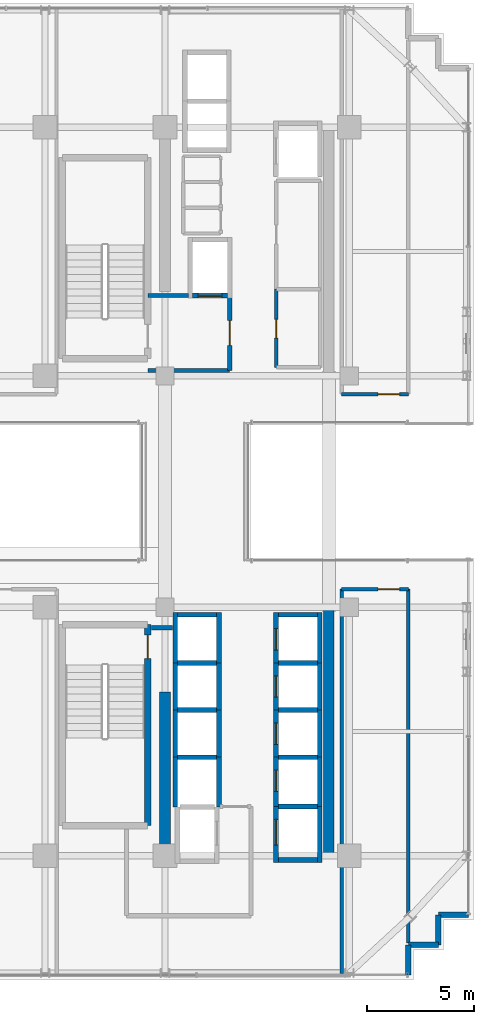
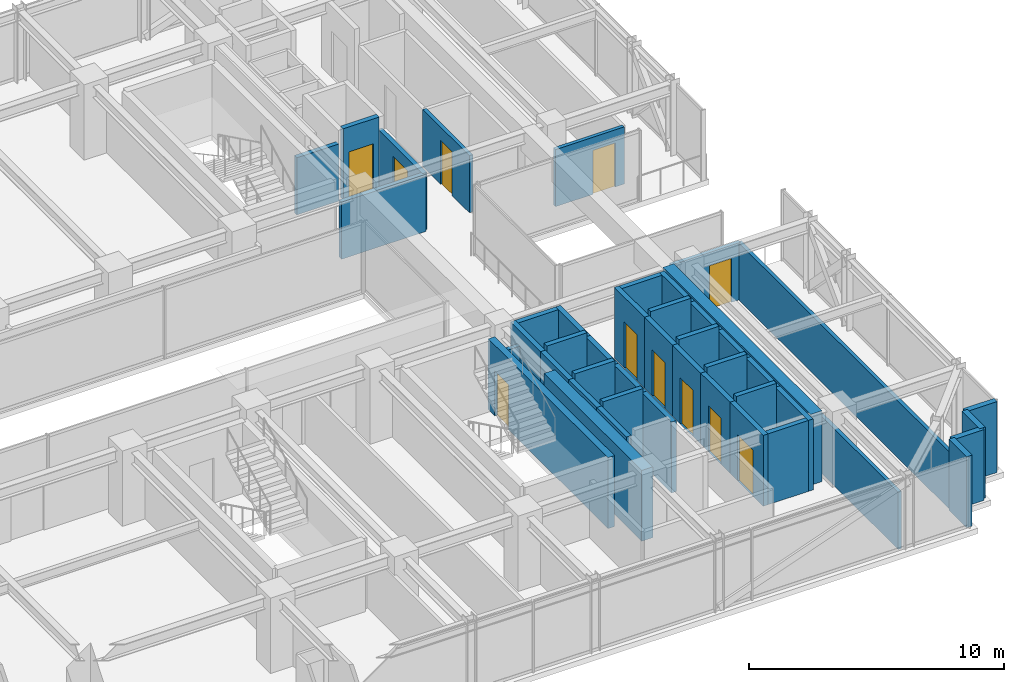
# One storey, part 31 of 37: 45 walls, 11 doors, 11 openings.
"""IFC4 building model written with IfcOpenShell, lengths in metres."""

import ifcopenshell
import ifcopenshell.guid

model = None  # the IFC model being written
_history = None  # IfcOwnerHistory: only IFC2X3 demands one
_inside = {}  # id of a spatial element -> (the spatial element, [elements in it])
_under = {}  # id of a project, library or spatial element -> (it, [spatial elements below it])
_declared = {}  # id of a project -> (the project, [libraries it declares])
_typed = {}  # id of a type object -> (the type object, [elements of that type])
_made_of = {}  # id of a material, layer set ... -> (it, [elements and type objects made of it])


def new_model(schema):
    """Start an empty IFC model of exactly this schema.

    Asked for "IFC4X3", IfcOpenShell would pick the latest addendum, in which some entities
    have other attributes; the version numbers below select the first issue.
    IFC2X3 requires an IfcOwnerHistory on every rooted entity: one is made here for all.
    """
    global model, _history
    if schema == "IFC4X3":
        model = ifcopenshell.file(schema_version=(4, 3, 0, 0))
    else:
        model = ifcopenshell.file(schema=schema)
    _inside.clear()
    _under.clear()
    _declared.clear()
    _typed.clear()
    _made_of.clear()
    _history = None
    if model.schema == "IFC2X3":
        org = make("IfcOrganization", Name="unknown")
        user = make(
            "IfcPersonAndOrganization",
            ThePerson=make("IfcPerson", FamilyName="unknown"),
            TheOrganization=org,
        )
        app = make(
            "IfcApplication",
            ApplicationDeveloper=org,
            Version="unknown",
            ApplicationFullName="unknown",
            ApplicationIdentifier="unknown",
        )
        _history = make(
            "IfcOwnerHistory",
            OwningUser=user,
            OwningApplication=app,
            ChangeAction="ADDED",
            CreationDate=0,
        )
    return model


def make(cls, **values):
    """One entity of the class cls with the attributes given. An attribute that is None is left unset."""
    return model.create_entity(
        cls, **{name: value for name, value in values.items() if value is not None}
    )


def rooted(cls, **values):
    """An entity with a GlobalId (a new one), such as an element, a storey or a relation."""
    return make(cls, GlobalId=ifcopenshell.guid.new(), OwnerHistory=_history, **values)


def si_unit(unit_type, name, prefix=None):
    """IfcSIUnit, for example si_unit("LENGTHUNIT", "METRE", prefix="MILLI")."""
    return make("IfcSIUnit", UnitType=unit_type, Prefix=prefix, Name=name)


def assignment(units):
    """IfcUnitAssignment: the units of a project."""
    return None if units is None else make("IfcUnitAssignment", Units=units)


def point(xyz):
    """IfcCartesianPoint."""
    return None if xyz is None else make("IfcCartesianPoint", Coordinates=xyz)


def direction(xyz):
    """IfcDirection."""
    return None if xyz is None else make("IfcDirection", DirectionRatios=xyz)


def frame(location, z_axis=None, x_axis=None):
    """IfcAxis2Placement3D, a coordinate frame: its origin and axes. An axis left out is left unset."""
    return make(
        "IfcAxis2Placement3D",
        Location=point(location),
        Axis=direction(z_axis),
        RefDirection=direction(x_axis),
    )


def frame_2d(location, x_axis=None):
    """IfcAxis2Placement2D, a coordinate frame in the plane: its origin and x axis."""
    return make(
        "IfcAxis2Placement2D", Location=point(location), RefDirection=direction(x_axis)
    )


def origin():
    """The frame at (0, 0, 0) with its axes left unset."""
    return frame((0.0, 0.0, 0.0))


def place(relative_to, where):
    """IfcLocalPlacement: puts the frame where relative to a parent placement (None: the world)."""
    return make(
        "IfcLocalPlacement", PlacementRelTo=relative_to, RelativePlacement=where
    )


def context(
    kind, dimensions, precision=None, world=None, true_north=None, identifier=None
):
    """IfcGeometricRepresentationContext, for example the 3D "Model" context."""
    return make(
        "IfcGeometricRepresentationContext",
        ContextIdentifier=identifier,
        ContextType=kind,
        CoordinateSpaceDimension=dimensions,
        Precision=precision,
        WorldCoordinateSystem=world,
        TrueNorth=true_north,
    )


def subcontext(parent, identifier, kind, view, scale=None):
    """IfcGeometricRepresentationSubContext, for example "Body" below "Model"."""
    return make(
        "IfcGeometricRepresentationSubContext",
        ContextIdentifier=identifier,
        ContextType=kind,
        ParentContext=parent,
        TargetScale=scale,
        TargetView=view,
    )


def project(units=None, contexts=None):
    """IfcProject with its units and contexts."""
    return rooted(
        "IfcProject",
        Name="project",
        RepresentationContexts=contexts,
        UnitsInContext=assignment(units),
    )


def spatial(cls, under=None, at=None, **own):
    """A site, building, storey or space (cls), placed at a placement, below another one or the project."""
    s = rooted(cls, ObjectPlacement=at, **own)
    if under is not None:
        _under.setdefault(under.id(), (under, []))[1].append(s)
    return s


def profile(cls, at=None, kind="AREA", **sizes):
    """A parametric profile (cls). Its sizes go by their IFC names, for example OverallWidth=200.0."""
    return make(cls, ProfileType=kind, Position=at, **sizes)


def rectangle(**sizes):
    """IfcRectangleProfileDef."""
    return profile("IfcRectangleProfileDef", **sizes)


def extrude(swept, where, along, depth):
    """IfcExtrudedAreaSolid: the profile swept, set in the frame where, extruded along a direction by depth."""
    return make(
        "IfcExtrudedAreaSolid",
        SweptArea=swept,
        Position=where,
        ExtrudedDirection=direction(along),
        Depth=depth,
    )


def shape(context_of_items, identifier, shape_type, items):
    """IfcShapeRepresentation: the items that make up one representation, for example the "Body"."""
    return make(
        "IfcShapeRepresentation",
        ContextOfItems=context_of_items,
        RepresentationIdentifier=identifier,
        RepresentationType=shape_type,
        Items=items,
    )


def source(mapping_origin, context_of_items, identifier, shape_type, items):
    """IfcRepresentationMap: a shape defined once, which mapped items show again and again."""
    return make(
        "IfcRepresentationMap",
        MappingOrigin=mapping_origin,
        MappedRepresentation=shape(context_of_items, identifier, shape_type, items),
    )


def transform(
    local_origin,
    x_axis=None,
    y_axis=None,
    z_axis=None,
    scale=None,
    scale2=None,
    scale3=None,
    uniform=True,
):
    """IfcCartesianTransformationOperator3D, or its non-uniform kind. x_axis, y_axis, z_axis: its Axis1, 2, 3."""
    if uniform:
        return make(
            "IfcCartesianTransformationOperator3D",
            Axis1=direction(x_axis),
            Axis2=direction(y_axis),
            LocalOrigin=point(local_origin),
            Scale=scale,
            Axis3=direction(z_axis),
        )
    return make(
        "IfcCartesianTransformationOperator3DnonUniform",
        Axis1=direction(x_axis),
        Axis2=direction(y_axis),
        LocalOrigin=point(local_origin),
        Scale=scale,
        Axis3=direction(z_axis),
        Scale2=scale2,
        Scale3=scale3,
    )


def mapped(mapping_source, mapping_target):
    """IfcMappedItem: shows the shape of a source again, moved by a transform."""
    return make(
        "IfcMappedItem", MappingSource=mapping_source, MappingTarget=mapping_target
    )


def material(Name=None, Category=None):
    """IfcMaterial."""
    return make("IfcMaterial", Name=Name, Category=Category)


def layer(
    of_material, thickness, ventilated=None, Name=None, Category=None, Priority=None
):
    """IfcMaterialLayer: one layer of a wall or slab, of a material (None: an air gap)."""
    return make(
        "IfcMaterialLayer",
        Material=of_material,
        LayerThickness=thickness,
        IsVentilated=ventilated,
        Name=Name,
        Category=Category,
        Priority=Priority,
    )


def layer_set(layers, Name=None):
    """IfcMaterialLayerSet."""
    return make("IfcMaterialLayerSet", MaterialLayers=layers, LayerSetName=Name)


def made_of(thing, what):
    """Note that an element or type object is made of a material, layer set ...; save() writes the relation."""
    if what is not None:
        _made_of.setdefault(what.id(), (what, []))[1].append(thing)
    return thing


def type_object(cls, material=None, **own):
    """A type object (cls), such as IfcWallType, which elements share."""
    return made_of(rooted(cls, **own), material)


def element(
    cls,
    number,
    at=None,
    inside=None,
    cuts=None,
    type_object=None,
    material=None,
    context=None,
    identifier="Body",
    shape_type=None,
    held_by="IfcProductDefinitionShape",
    body=None,
    shapes=None,
    **own,
):
    """One element of the class cls, such as IfcWall. Its Tag is "e" and its number.

    at: its placement. inside: the storey or other place that contains it. cuts: it is an
    opening in that element (IfcRelVoidsElement). A single representation is given by context,
    identifier, shape_type and body (its items); several are given by shapes. held_by: the class
    of the entity that holds the representations. save() writes the other relations.
    """
    e = rooted(cls, Tag="e%d" % number, ObjectPlacement=at, **own)
    if body is not None:
        shapes = [shape(context, identifier, shape_type, body)]
    if shapes is not None:
        e.Representation = make(held_by, Representations=shapes)
    if inside is not None:
        _inside.setdefault(inside.id(), (inside, []))[1].append(e)
    if cuts is not None:
        rooted(
            "IfcRelVoidsElement", RelatingBuildingElement=cuts, RelatedOpeningElement=e
        )
    if type_object is not None:
        _typed.setdefault(type_object.id(), (type_object, []))[1].append(e)
    return made_of(e, material)


def fill(opening, filler):
    """IfcRelFillsElement: the door or window that sits in an opening."""
    return rooted(
        "IfcRelFillsElement",
        RelatingOpeningElement=opening,
        RelatedBuildingElement=filler,
    )


def aggregate(whole, parts):
    """IfcRelAggregates: a whole, such as a stair, and the parts it consists of."""
    return rooted("IfcRelAggregates", RelatingObject=whole, RelatedObjects=parts)


def save(model, path):
    """Write the relations noted so far, then the file.

    IfcRelAggregates (storeys below a building ...), IfcRelContainedInSpatialStructure (elements
    in a storey), IfcRelDefinesByType, IfcRelAssociatesMaterial and IfcRelDeclares: one each for
    every whole, place, type object, material and project.
    """
    for whole, parts in _under.values():
        aggregate(whole, parts)
    for where, things in _inside.values():
        rooted(
            "IfcRelContainedInSpatialStructure",
            RelatedElements=things,
            RelatingStructure=where,
        )
    for kind, things in _typed.values():
        rooted("IfcRelDefinesByType", RelatedObjects=things, RelatingType=kind)
    for what, things in _made_of.values():
        rooted("IfcRelAssociatesMaterial", RelatedObjects=things, RelatingMaterial=what)
    for by, libraries in _declared.values():
        rooted("IfcRelDeclares", RelatingContext=by, RelatedDefinitions=libraries)
    model.write(path)


model = new_model("IFC4")

# Units and contexts
model_context = context("Model", 3, precision=1e-05, world=origin(), true_north=direction((0.0, 1.0)))
body_context = subcontext(model_context, "Body", "Model", "MODEL_VIEW")
ifc_project = project(units=[si_unit("LENGTHUNIT", "METRE"), si_unit("AREAUNIT", "SQUARE_METRE"), si_unit("VOLUMEUNIT", "CUBIC_METRE"), si_unit("PLANEANGLEUNIT", "RADIAN"), si_unit("MASSUNIT", "GRAM", prefix="KILO")], contexts=[model_context])

# Site, building, storey
site_placement = place(None, origin())
site = spatial("IfcSite", under=ifc_project, at=site_placement, CompositionType="ELEMENT")
building_placement = place(site_placement, origin())
building = spatial("IfcBuilding", under=site, at=building_placement, Name="Nahalor Promenade Grand Hotel", CompositionType="ELEMENT")
storey_placement = place(building_placement, frame((0.0, 0.0, 167.25)))
storey = spatial("IfcBuildingStorey", under=building, at=storey_placement, Name="L42", CompositionType="ELEMENT", Elevation=167.25)

# Walls
ifc_material_1 = material(Name="Concrete B-60 (C50/60)", Category="concrete")
ifc_layer_1 = layer(ifc_material_1, 0.5)
ifc_layer_set_1 = layer_set([ifc_layer_1], Name="Concrete B-60 (C50/60)")
wall_type_1 = type_object("IfcWallType", Name="Wall-CoreShear-500", PredefinedType="SHEAR", material=ifc_layer_set_1)
shared_shape_1 = source(origin(), body_context, "Body", "SweptSolid", [
    extrude(rectangle(XDim=7.64990234375, YDim=0.5, at=frame_2d((3.824951171875, 0.0))), origin(), (0.0, 0.0, 1.0), 3.389892578125),
])
wall_1_placement = place(storey_placement, frame((8.39990234375, -17.0, 0.0), z_axis=(0.0, 0.0, 1.0), x_axis=(0.0, 1.0, 0.0)))
element("IfcWall", 1, at=wall_1_placement, inside=storey, type_object=wall_type_1, Name="CWALL-L42-SW", PredefinedType="SHEAR", context=body_context, shape_type="MappedRepresentation", body=[
    mapped(shared_shape_1, transform((0.0, 0.0, 0.0), scale=1.0)),
])
shared_shape_2 = source(origin(), body_context, "Body", "SweptSolid", [
    extrude(rectangle(XDim=11.60009765625, YDim=0.5, at=frame_2d((5.800048828125, 0.0))), origin(), (0.0, 0.0, 1.0), 3.389892578125),
])
wall_2_placement = place(storey_placement, frame((16.050048828125, -17.0, 0.0), z_axis=(0.0, 0.0, 1.0), x_axis=(0.0, 1.0, 0.0)))
element("IfcWall", 2, at=wall_2_placement, inside=storey, type_object=wall_type_1, Name="CWALL-L42-SE", PredefinedType="SHEAR", context=body_context, shape_type="MappedRepresentation", body=[
    mapped(shared_shape_2, transform((0.0, 0.0, 0.0), scale=1.0)),
])

# Wall, opening, door
ifc_material_2 = material(Name="Concrete B-50 (C40/50)", Category="concrete")
ifc_layer_2 = layer(ifc_material_2, 0.300048828125)
ifc_layer_set_2 = layer_set([ifc_layer_2], Name="Concrete B-50 (C40/50)")
wall_type_2 = type_object("IfcWallType", Name="Wall-ShaftShear-300", PredefinedType="SHEAR", material=ifc_layer_set_2)
shared_shape_3 = source(origin(), body_context, "Body", "SweptSolid", [
    extrude(rectangle(XDim=9.380126953125, YDim=0.300048828125, at=frame_2d((4.68994140625, 0.0))), origin(), (0.0, 0.0, 1.0), 3.389892578125),
])
wall_3_placement = place(storey_placement, frame((7.590087890625, -15.590087890625, 0.0), z_axis=(0.0, 0.0, 1.0), x_axis=(0.0, 1.0, 0.0)))
wall_3 = element("IfcWall", 3, at=wall_3_placement, inside=storey, type_object=wall_type_2, Name="L42 Exit Stair ST2 Shaft Wall E", PredefinedType="SHEAR", context=body_context, shape_type="MappedRepresentation", body=[
    mapped(shared_shape_3, transform((0.0, 0.0, 0.0), scale=1.0)),
])
opening_1_placement = place(wall_3_placement, frame((7.7900390625, 0.0, 0.0)))
opening_1 = element("IfcOpeningElement", 4, at=opening_1_placement, cuts=wall_3, Name="Opening D-ST1", PredefinedType="OPENING", context=body_context, shape_type="SweptSolid", body=[
    extrude(rectangle(XDim=1.10009765625, YDim=2.14990234375, at=frame_2d((0.550048828125, 1.074951171875))), frame((0.0, 0.159912109375, 0.0), z_axis=(0.0, -1.0, 0.0), x_axis=(1.0, 0.0, 0.0)), (0.0, 0.0, 1.0), 0.320068359375),
])
ifc_material_3 = material(Name="Steel S355JR", Category="steel")
door_type_1 = type_object("IfcDoorType", Name="Door-StairFire-1100", OperationType="NOTDEFINED", PredefinedType="DOOR", material=ifc_material_3)
shared_shape_4 = source(origin(), body_context, "Body", "SweptSolid", [
    extrude(rectangle(XDim=1.10009765625, YDim=2.14990234375, at=frame_2d((0.550048828125, 1.074951171875))), frame((0.0, 0.02490234375, 0.0), z_axis=(0.0, -1.0, 0.0), x_axis=(1.0, 0.0, 0.0)), (0.0, 0.0, 1.0), 0.050048828125),
])
door_1_placement = place(opening_1_placement, origin())
door_1 = element("IfcDoor", 5, at=door_1_placement, inside=storey, type_object=door_type_1, Name="DR-STAIR-ST2-L42", OperationType="SINGLE_SWING_LEFT", OverallHeight=2.14990234375, OverallWidth=1.10009765625, PredefinedType="DOOR", context=body_context, shape_type="MappedRepresentation", body=[
    mapped(shared_shape_4, transform((0.0, 0.0, 0.0), scale=1.0)),
])
fill(opening_1, door_1)

# Walls
ifc_layer_3 = layer(ifc_material_2, 0.219970703125)
ifc_layer_set_3 = layer_set([ifc_layer_3], Name="Concrete B-50 (C40/50)")
wall_type_3 = type_object("IfcWallType", Name="Wall-LiftShaft-220", PredefinedType="SHEAR", material=ifc_layer_set_3)
shared_shape_5 = source(origin(), body_context, "Body", "SweptSolid", [
    extrude(rectangle(XDim=1.820068359375, YDim=0.219970703125, at=frame_2d((0.91015625, 0.0))), origin(), (0.0, 0.0, 1.0), 3.64990234375),
])
for number, where, z_axis, x_axis, name in (
    (6, (13.68994140625, -8.0, 0.0), (0.0, 0.0, 1.0), (1.0, 0.0, 0.0), "L42 Lift PL6 Hoistway Wall N"),
    (7, (13.68994140625, -10.199951171875, 0.0), (0.0, 0.0, 1.0), (1.0, 0.0, 0.0), "L42 Lift PL7 Hoistway Wall N"),
    (8, (13.68994140625, -12.39990234375, 0.0), (0.0, 0.0, 1.0), (1.0, 0.0, 0.0), "L42 Lift PL8 Hoistway Wall N"),
    (9, (8.989990234375, -8.0, 0.0), (0.0, 0.0, 1.0), (1.0, 0.0, 0.0), "L42 Lift PL10 Hoistway Wall N"),
    (10, (8.989990234375, -10.199951171875, 0.0), (0.0, 0.0, 1.0), (1.0, 0.0, 0.0), "L42 Lift PL11 Hoistway Wall N"),
    (11, (8.989990234375, -12.39990234375, 0.0), (0.0, 0.0, 1.0), (1.0, 0.0, 0.0), "L42 Lift PL12 Hoistway Wall N"),
    (12, (13.68994140625, -14.699951171875, 0.0), (0.0, 0.0, 1.0), (1.0, 0.0, 0.0), "L42 Lift SV2 Hoistway Wall N"),
):
    element("IfcWall", number, at=place(storey_placement, frame(where, z_axis=z_axis, x_axis=x_axis)), inside=storey, type_object=wall_type_3, Name=name, PredefinedType="SHEAR", context=body_context, shape_type="MappedRepresentation", body=[
        mapped(shared_shape_5, transform((0.0, 0.0, 0.0), scale=1.0)),
    ])

# Wall, opening, door
shared_shape_6 = source(origin(), body_context, "Body", "SweptSolid", [
    extrude(rectangle(XDim=2.360107421875, YDim=0.219970703125, at=frame_2d((1.18017578125, 0.0))), origin(), (0.0, 0.0, 1.0), 3.389892578125),
])
wall_4_placement = place(storey_placement, frame((13.580078125, -8.0, 0.0), z_axis=(0.0, 0.0, 1.0), x_axis=(0.0, 1.0, 0.0)))
wall_4 = element("IfcWall", 13, at=wall_4_placement, inside=storey, type_object=wall_type_3, Name="L42 Lift PL5 Hoistway Wall W", PredefinedType="SHEAR", context=body_context, shape_type="MappedRepresentation", body=[
    mapped(shared_shape_6, transform((0.0, 0.0, 0.0), scale=1.0)),
])
opening_2_placement = place(wall_4_placement, frame((0.60009765625, 0.0, 0.0)))
opening_2 = element("IfcOpeningElement", 14, at=opening_2_placement, cuts=wall_4, Name="Opening LD-01", PredefinedType="OPENING", context=body_context, shape_type="SweptSolid", body=[
    extrude(rectangle(XDim=1.0, YDim=2.199951171875, at=frame_2d((0.5, 1.10009765625))), frame((0.0, 0.119873046875, 0.0), z_axis=(0.0, -1.0, 0.0), x_axis=(1.0, 0.0, 0.0)), (0.0, 0.0, 1.0), 0.239990234375),
])
door_type_2 = type_object("IfcDoorType", Name="Door-LiftLanding-1000", OperationType="DOUBLE_DOOR_SLIDING", PredefinedType="DOOR", material=ifc_material_3)
shared_shape_7 = source(origin(), body_context, "Body", "SweptSolid", [
    extrude(rectangle(XDim=1.0, YDim=2.199951171875, at=frame_2d((0.5, 1.10009765625))), frame((0.0, 0.02490234375, 0.0), z_axis=(0.0, -1.0, 0.0), x_axis=(1.0, 0.0, 0.0)), (0.0, 0.0, 1.0), 0.050048828125),
])
door_2_placement = place(opening_2_placement, origin())
door_2 = element("IfcDoor", 15, at=door_2_placement, inside=storey, type_object=door_type_2, Name="DR-LIFT-PL5-L42", OperationType="DOUBLE_DOOR_SLIDING", OverallHeight=2.199951171875, OverallWidth=1.0, PredefinedType="DOOR", context=body_context, shape_type="MappedRepresentation", body=[
    mapped(shared_shape_7, transform((0.0, 0.0, 0.0), scale=1.0)),
])
fill(opening_2, door_2)

# Walls
for number, where, z_axis, x_axis, name in (
    (16, (15.6201171875, -8.0, 0.0), (0.0, 0.0, 1.0), (0.0, 1.0, 0.0), "L42 Lift PL5 Hoistway Wall E"),
    (17, (8.8798828125, -8.0, 0.0), (0.0, 0.0, 1.0), (0.0, 1.0, 0.0), "L42 Lift PL9 Hoistway Wall W"),
    (18, (10.919921875, -8.0, 0.0), (0.0, 0.0, 1.0), (0.0, 1.0, 0.0), "L42 Lift PL9 Hoistway Wall E"),
):
    element("IfcWall", number, at=place(storey_placement, frame(where, z_axis=z_axis, x_axis=x_axis)), inside=storey, type_object=wall_type_3, Name=name, PredefinedType="SHEAR", context=body_context, shape_type="MappedRepresentation", body=[
        mapped(shared_shape_6, transform((0.0, 0.0, 0.0), scale=1.0)),
    ])
shared_shape_8 = source(origin(), body_context, "Body", "SweptSolid", [
    extrude(rectangle(XDim=1.820068359375, YDim=0.219970703125, at=frame_2d((0.91015625, 0.0))), origin(), (0.0, 0.0, 1.0), 3.389892578125),
])
for number, where, z_axis, x_axis, name in (
    (19, (13.68994140625, -5.75, 0.0), (0.0, 0.0, 1.0), (1.0, 0.0, 0.0), "L42 Lift PL5 Hoistway Wall N"),
    (20, (8.989990234375, -5.75, 0.0), (0.0, 0.0, 1.0), (1.0, 0.0, 0.0), "L42 Lift PL9 Hoistway Wall N"),
    (21, (13.68994140625, -17.199951171875, 0.0), (0.0, 0.0, 1.0), (1.0, 0.0, 0.0), "L42 Lift SV2 Hoistway Wall S"),
):
    element("IfcWall", number, at=place(storey_placement, frame(where, z_axis=z_axis, x_axis=x_axis)), inside=storey, type_object=wall_type_3, Name=name, PredefinedType="SHEAR", context=body_context, shape_type="MappedRepresentation", body=[
        mapped(shared_shape_8, transform((0.0, 0.0, 0.0), scale=1.0)),
    ])

# Wall, opening, door
shared_shape_9 = source(origin(), body_context, "Body", "SweptSolid", [
    extrude(rectangle(XDim=2.199951171875, YDim=0.219970703125, at=frame_2d((1.10009765625, 0.0))), origin(), (0.0, 0.0, 1.0), 3.389892578125),
])
wall_5_placement = place(storey_placement, frame((13.580078125, -10.199951171875, 0.0), z_axis=(0.0, 0.0, 1.0), x_axis=(0.0, 1.0, 0.0)))
wall_5 = element("IfcWall", 22, at=wall_5_placement, inside=storey, type_object=wall_type_3, Name="L42 Lift PL6 Hoistway Wall W", PredefinedType="SHEAR", context=body_context, shape_type="MappedRepresentation", body=[
    mapped(shared_shape_9, transform((0.0, 0.0, 0.0), scale=1.0)),
])
opening_3_placement = place(wall_5_placement, frame((0.60009765625, 0.0, 0.0)))
opening_3 = element("IfcOpeningElement", 23, at=opening_3_placement, cuts=wall_5, Name="Opening LD-01", PredefinedType="OPENING", context=body_context, shape_type="SweptSolid", body=[
    extrude(rectangle(XDim=1.0, YDim=2.199951171875, at=frame_2d((0.5, 1.10009765625))), frame((0.0, 0.119873046875, 0.0), z_axis=(0.0, -1.0, 0.0), x_axis=(1.0, 0.0, 0.0)), (0.0, 0.0, 1.0), 0.239990234375),
])
door_3_placement = place(opening_3_placement, origin())
door_3 = element("IfcDoor", 24, at=door_3_placement, inside=storey, type_object=door_type_2, Name="DR-LIFT-PL6-L42", OperationType="DOUBLE_DOOR_SLIDING", OverallHeight=2.199951171875, OverallWidth=1.0, PredefinedType="DOOR", context=body_context, shape_type="MappedRepresentation", body=[
    mapped(shared_shape_7, transform((0.0, 0.0, 0.0), scale=1.0)),
])
fill(opening_3, door_3)

# Wall
wall_6_placement = place(storey_placement, frame((15.6201171875, -10.199951171875, 0.0), z_axis=(0.0, 0.0, 1.0), x_axis=(0.0, 1.0, 0.0)))
element("IfcWall", 25, at=wall_6_placement, inside=storey, type_object=wall_type_3, Name="L42 Lift PL6 Hoistway Wall E", PredefinedType="SHEAR", context=body_context, shape_type="MappedRepresentation", body=[
    mapped(shared_shape_9, transform((0.0, 0.0, 0.0), scale=1.0)),
])

# Wall, opening, door
wall_7_placement = place(storey_placement, frame((13.580078125, -12.39990234375, 0.0), z_axis=(0.0, 0.0, 1.0), x_axis=(0.0, 1.0, 0.0)))
wall_7 = element("IfcWall", 26, at=wall_7_placement, inside=storey, type_object=wall_type_3, Name="L42 Lift PL7 Hoistway Wall W", PredefinedType="SHEAR", context=body_context, shape_type="MappedRepresentation", body=[
    mapped(shared_shape_9, transform((0.0, 0.0, 0.0), scale=1.0)),
])
opening_4_placement = place(wall_7_placement, frame((0.60009765625, 0.0, 0.0)))
opening_4 = element("IfcOpeningElement", 27, at=opening_4_placement, cuts=wall_7, Name="Opening LD-01", PredefinedType="OPENING", context=body_context, shape_type="SweptSolid", body=[
    extrude(rectangle(XDim=1.0, YDim=2.199951171875, at=frame_2d((0.5, 1.10009765625))), frame((0.0, 0.119873046875, 0.0), z_axis=(0.0, -1.0, 0.0), x_axis=(1.0, 0.0, 0.0)), (0.0, 0.0, 1.0), 0.239990234375),
])
door_4_placement = place(opening_4_placement, origin())
door_4 = element("IfcDoor", 28, at=door_4_placement, inside=storey, type_object=door_type_2, Name="DR-LIFT-PL7-L42", OperationType="DOUBLE_DOOR_SLIDING", OverallHeight=2.199951171875, OverallWidth=1.0, PredefinedType="DOOR", context=body_context, shape_type="MappedRepresentation", body=[
    mapped(shared_shape_7, transform((0.0, 0.0, 0.0), scale=1.0)),
])
fill(opening_4, door_4)

# Walls
for number, where, z_axis, x_axis, name in (
    (29, (15.6201171875, -12.39990234375, 0.0), (0.0, 0.0, 1.0), (0.0, 1.0, 0.0), "L42 Lift PL7 Hoistway Wall E"),
    (30, (8.8798828125, -10.199951171875, 0.0), (0.0, 0.0, 1.0), (0.0, 1.0, 0.0), "L42 Lift PL10 Hoistway Wall W"),
    (31, (10.919921875, -10.199951171875, 0.0), (0.0, 0.0, 1.0), (0.0, 1.0, 0.0), "L42 Lift PL10 Hoistway Wall E"),
    (32, (8.8798828125, -12.39990234375, 0.0), (0.0, 0.0, 1.0), (0.0, 1.0, 0.0), "L42 Lift PL11 Hoistway Wall W"),
    (33, (10.919921875, -12.39990234375, 0.0), (0.0, 0.0, 1.0), (0.0, 1.0, 0.0), "L42 Lift PL11 Hoistway Wall E"),
):
    element("IfcWall", number, at=place(storey_placement, frame(where, z_axis=z_axis, x_axis=x_axis)), inside=storey, type_object=wall_type_3, Name=name, PredefinedType="SHEAR", context=body_context, shape_type="MappedRepresentation", body=[
        mapped(shared_shape_9, transform((0.0, 0.0, 0.0), scale=1.0)),
    ])

# Wall, opening, door
shared_shape_10 = source(origin(), body_context, "Body", "SweptSolid", [
    extrude(rectangle(XDim=2.300048828125, YDim=0.219970703125, at=frame_2d((1.14990234375, 0.0))), origin(), (0.0, 0.0, 1.0), 3.389892578125),
])
wall_8_placement = place(storey_placement, frame((13.580078125, -14.699951171875, 0.0), z_axis=(0.0, 0.0, 1.0), x_axis=(0.0, 1.0, 0.0)))
wall_8 = element("IfcWall", 34, at=wall_8_placement, inside=storey, type_object=wall_type_3, Name="L42 Lift PL8 Hoistway Wall W", PredefinedType="SHEAR", context=body_context, shape_type="MappedRepresentation", body=[
    mapped(shared_shape_10, transform((0.0, 0.0, 0.0), scale=1.0)),
])
opening_5_placement = place(wall_8_placement, frame((0.699951171875, 0.0, 0.0)))
opening_5 = element("IfcOpeningElement", 35, at=opening_5_placement, cuts=wall_8, Name="Opening LD-01", PredefinedType="OPENING", context=body_context, shape_type="SweptSolid", body=[
    extrude(rectangle(XDim=1.0, YDim=2.199951171875, at=frame_2d((0.5, 1.10009765625))), frame((0.0, 0.119873046875, 0.0), z_axis=(0.0, -1.0, 0.0), x_axis=(1.0, 0.0, 0.0)), (0.0, 0.0, 1.0), 0.239990234375),
])
door_5_placement = place(opening_5_placement, origin())
door_5 = element("IfcDoor", 36, at=door_5_placement, inside=storey, type_object=door_type_2, Name="DR-LIFT-PL8-L42", OperationType="DOUBLE_DOOR_SLIDING", OverallHeight=2.199951171875, OverallWidth=1.0, PredefinedType="DOOR", context=body_context, shape_type="MappedRepresentation", body=[
    mapped(shared_shape_7, transform((0.0, 0.0, 0.0), scale=1.0)),
])
fill(opening_5, door_5)

# Walls
wall_9_placement = place(storey_placement, frame((15.6201171875, -14.699951171875, 0.0), z_axis=(0.0, 0.0, 1.0), x_axis=(0.0, 1.0, 0.0)))
element("IfcWall", 37, at=wall_9_placement, inside=storey, type_object=wall_type_3, Name="L42 Lift PL8 Hoistway Wall E", PredefinedType="SHEAR", context=body_context, shape_type="MappedRepresentation", body=[
    mapped(shared_shape_10, transform((0.0, 0.0, 0.0), scale=1.0)),
])
shared_shape_11 = source(origin(), body_context, "Body", "SweptSolid", [
    extrude(rectangle(XDim=2.3251953125, YDim=0.219970703125, at=frame_2d((1.16259765625, 0.0))), origin(), (0.0, 0.0, 1.0), 3.389892578125),
])
for number, where, z_axis, x_axis, name in (
    (38, (8.8798828125, -14.72509765625, 0.0), (0.0, 0.0, 1.0), (0.0, 1.0, 0.0), "L42 Lift PL12 Hoistway Wall W"),
    (39, (10.919921875, -14.72509765625, 0.0), (0.0, 0.0, 1.0), (0.0, 1.0, 0.0), "L42 Lift PL12 Hoistway Wall E"),
):
    element("IfcWall", number, at=place(storey_placement, frame(where, z_axis=z_axis, x_axis=x_axis)), inside=storey, type_object=wall_type_3, Name=name, PredefinedType="SHEAR", context=body_context, shape_type="MappedRepresentation", body=[
        mapped(shared_shape_11, transform((0.0, 0.0, 0.0), scale=1.0)),
    ])

# Wall, opening, door
shared_shape_12 = source(origin(), body_context, "Body", "SweptSolid", [
    extrude(rectangle(XDim=1.6201171875, YDim=0.219970703125, at=frame_2d((0.81005859375, 0.0))), origin(), (0.0, 0.0, 1.0), 3.389892578125),
])
wall_10_placement = place(storey_placement, frame((9.68994140625, 9.14990234375, 0.0), z_axis=(0.0, 0.0, 1.0), x_axis=(1.0, 0.0, 0.0)))
wall_10 = element("IfcWall", 40, at=wall_10_placement, inside=storey, type_object=wall_type_3, Name="L42 Lift FL1 Hoistway Wall S", PredefinedType="SHEAR", context=body_context, shape_type="MappedRepresentation", body=[
    mapped(shared_shape_12, transform((0.0, 0.0, 0.0), scale=1.0)),
])
opening_6_placement = place(wall_10_placement, frame((0.260009765625, 0.0, 0.0)))
opening_6 = element("IfcOpeningElement", 41, at=opening_6_placement, cuts=wall_10, Name="Opening LD-02", PredefinedType="OPENING", context=body_context, shape_type="SweptSolid", body=[
    extrude(rectangle(XDim=1.10009765625, YDim=2.199951171875, at=frame_2d((0.550048828125, 1.10009765625))), frame((0.0, 0.119873046875, 0.0), z_axis=(0.0, -1.0, 0.0), x_axis=(1.0, 0.0, 0.0)), (0.0, 0.0, 1.0), 0.239990234375),
])
door_type_3 = type_object("IfcDoorType", Name="Door-LiftFF-1100", OperationType="DOUBLE_DOOR_SLIDING", PredefinedType="DOOR", material=ifc_material_3)
shared_shape_13 = source(origin(), body_context, "Body", "SweptSolid", [
    extrude(rectangle(XDim=1.10009765625, YDim=2.199951171875, at=frame_2d((0.550048828125, 1.10009765625))), frame((0.0, 0.02490234375, 0.0), z_axis=(0.0, -1.0, 0.0), x_axis=(1.0, 0.0, 0.0)), (0.0, 0.0, 1.0), 0.050048828125),
])
door_6_placement = place(opening_6_placement, frame((1.10009765625, 0.0, 0.0), z_axis=(0.0, 0.0, 1.0), x_axis=(-1.0, 0.0, 0.0)))
door_6 = element("IfcDoor", 42, at=door_6_placement, inside=storey, type_object=door_type_3, Name="DR-LIFT-FL1-L42", OperationType="DOUBLE_DOOR_SLIDING", OverallHeight=2.199951171875, OverallWidth=1.10009765625, PredefinedType="DOOR", context=body_context, shape_type="MappedRepresentation", body=[
    mapped(shared_shape_13, transform((0.0, 0.0, 0.0), scale=1.0)),
])
fill(opening_6, door_6)

shared_shape_14 = source(origin(), body_context, "Body", "SweptSolid", [
    extrude(rectangle(XDim=2.610107421875, YDim=0.219970703125, at=frame_2d((1.30517578125, 0.0))), origin(), (0.0, 0.0, 1.0), 3.389892578125),
])
wall_11_placement = place(storey_placement, frame((13.580078125, -17.31005859375, 0.0), z_axis=(0.0, 0.0, 1.0), x_axis=(0.0, 1.0, 0.0)))
wall_11 = element("IfcWall", 43, at=wall_11_placement, inside=storey, type_object=wall_type_3, Name="L42 Lift SV2 Hoistway Wall W", PredefinedType="SHEAR", context=body_context, shape_type="MappedRepresentation", body=[
    mapped(shared_shape_14, transform((0.0, 0.0, 0.0), scale=1.0)),
])
opening_7_placement = place(wall_11_placement, frame((0.81005859375, 0.0, 0.0)))
opening_7 = element("IfcOpeningElement", 44, at=opening_7_placement, cuts=wall_11, Name="Opening LD-03", PredefinedType="OPENING", context=body_context, shape_type="SweptSolid", body=[
    extrude(rectangle(XDim=1.199951171875, YDim=2.199951171875, at=frame_2d((0.60009765625, 1.10009765625))), frame((0.0, 0.119873046875, 0.0), z_axis=(0.0, -1.0, 0.0), x_axis=(1.0, 0.0, 0.0)), (0.0, 0.0, 1.0), 0.239990234375),
])
door_type_4 = type_object("IfcDoorType", Name="Door-LiftService-1200", OperationType="DOUBLE_DOOR_SLIDING", PredefinedType="DOOR", material=ifc_material_3)
shared_shape_15 = source(origin(), body_context, "Body", "SweptSolid", [
    extrude(rectangle(XDim=1.199951171875, YDim=2.199951171875, at=frame_2d((0.60009765625, 1.10009765625))), frame((0.0, 0.02490234375, 0.0), z_axis=(0.0, -1.0, 0.0), x_axis=(1.0, 0.0, 0.0)), (0.0, 0.0, 1.0), 0.050048828125),
])
door_7_placement = place(opening_7_placement, origin())
door_7 = element("IfcDoor", 45, at=door_7_placement, inside=storey, type_object=door_type_4, Name="DR-LIFT-SV2-L42", OperationType="DOUBLE_DOOR_SLIDING", OverallHeight=2.199951171875, OverallWidth=1.199951171875, PredefinedType="DOOR", context=body_context, shape_type="MappedRepresentation", body=[
    mapped(shared_shape_15, transform((0.0, 0.0, 0.0), scale=1.0)),
])
fill(opening_7, door_7)

# Walls
wall_12_placement = place(storey_placement, frame((15.6201171875, -17.31005859375, 0.0), z_axis=(0.0, 0.0, 1.0), x_axis=(0.0, 1.0, 0.0)))
element("IfcWall", 46, at=wall_12_placement, inside=storey, type_object=wall_type_3, Name="L42 Lift SV2 Hoistway Wall E", PredefinedType="SHEAR", context=body_context, shape_type="MappedRepresentation", body=[
    mapped(shared_shape_14, transform((0.0, 0.0, 0.0), scale=1.0)),
])
ifc_material_4 = material(Name="Concrete B-40 (C32/40)", Category="concrete")
ifc_layer_4 = layer(ifc_material_4, 0.25)
ifc_layer_set_4 = layer_set([ifc_layer_4], Name="Concrete B-40 (C32/40)")
wall_type_4 = type_object("IfcWallType", Name="Wall-BronzePier-250", PredefinedType="STANDARD", material=ifc_layer_set_4)
shared_shape_16 = source(origin(), body_context, "Body", "SweptSolid", [
    extrude(rectangle(XDim=1.400146484375, YDim=0.25, at=frame_2d((0.7001953125, 0.0))), origin(), (0.0, 0.0, 1.0), 3.389892578125),
])
for number, where, z_axis, x_axis, name in (
    (47, (19.760009765625, -22.56005859375, 0.0), (0.0, 0.0, 1.0), (0.0, 1.0, 0.0), "W-L42-SR-01"),
    (48, (21.159912109375, -19.760009765625, 0.0), (0.0, 0.0, 1.0), (1.0, 0.0, 0.0), "W-L42-SR-04"),
):
    element("IfcWall", number, at=place(storey_placement, frame(where, z_axis=z_axis, x_axis=x_axis)), inside=storey, type_object=wall_type_4, Name=name, PredefinedType="STANDARD", context=body_context, shape_type="MappedRepresentation", body=[
        mapped(shared_shape_16, transform((0.0, 0.0, 0.0), scale=1.0)),
    ])
shared_shape_17 = source(origin(), body_context, "Body", "SweptSolid", [
    extrude(rectangle(XDim=1.39990234375, YDim=0.25, at=frame_2d((0.699951171875, 0.0))), origin(), (0.0, 0.0, 1.0), 3.389892578125),
])
for number, where, z_axis, x_axis, name in (
    (49, (19.760009765625, -21.159912109375, 0.0), (0.0, 0.0, 1.0), (1.0, 0.0, 0.0), "W-L42-SR-02"),
    (50, (21.159912109375, -21.159912109375, 0.0), (0.0, 0.0, 1.0), (0.0, 1.0, 0.0), "W-L42-SR-03"),
):
    element("IfcWall", number, at=place(storey_placement, frame(where, z_axis=z_axis, x_axis=x_axis)), inside=storey, type_object=wall_type_4, Name=name, PredefinedType="STANDARD", context=body_context, shape_type="MappedRepresentation", body=[
        mapped(shared_shape_17, transform((0.0, 0.0, 0.0), scale=1.0)),
    ])
ifc_layer_5 = layer(ifc_material_4, 0.199951171875)
ifc_layer_set_5 = layer_set([ifc_layer_5], Name="Concrete B-40 (C32/40)")
wall_type_5 = type_object("IfcWallType", Name="Wall-PartFire-200", PredefinedType="PARTITIONING", material=ifc_layer_set_5)
shared_shape_18 = source(origin(), body_context, "Body", "SweptSolid", [
    extrude(rectangle(XDim=3.81982421875, YDim=0.199951171875, at=frame_2d((1.909912109375, 0.0))), origin(), (0.0, 0.0, 1.0), 2.72998046875),
])
wall_13_placement = place(storey_placement, frame((7.60009765625, 5.64990234375, 0.0), z_axis=(0.0, 0.0, 1.0), x_axis=(1.0, 0.0, 0.0)))
element("IfcWall", 51, at=wall_13_placement, inside=storey, type_object=wall_type_5, Name="W-L42-FF1-S", PredefinedType="PARTITIONING", context=body_context, shape_type="MappedRepresentation", body=[
    mapped(shared_shape_18, transform((0.0, 0.0, 0.0), scale=1.0)),
])
shared_shape_19 = source(origin(), body_context, "Body", "SweptSolid", [
    extrude(rectangle(XDim=1.89990234375, YDim=0.199951171875, at=frame_2d((0.949951171875, 0.0))), origin(), (0.0, 0.0, 1.0), 2.72998046875),
])
wall_14_placement = place(storey_placement, frame((7.60009765625, 9.14990234375, 0.0), z_axis=(0.0, 0.0, 1.0), x_axis=(1.0, 0.0, 0.0)))
element("IfcWall", 52, at=wall_14_placement, inside=storey, type_object=wall_type_5, Name="W-L42-FF1-N", PredefinedType="PARTITIONING", context=body_context, shape_type="MappedRepresentation", body=[
    mapped(shared_shape_19, transform((0.0, 0.0, 0.0), scale=1.0)),
])

# Wall, opening, door
shared_shape_20 = source(origin(), body_context, "Body", "SweptSolid", [
    extrude(rectangle(XDim=3.5, YDim=0.199951171875, at=frame_2d((1.75, 0.0))), origin(), (0.0, 0.0, 1.0), 2.72998046875),
])
wall_15_placement = place(storey_placement, frame((11.419921875, 5.64990234375, 0.0), z_axis=(0.0, 0.0, 1.0), x_axis=(0.0, 1.0, 0.0)))
wall_15 = element("IfcWall", 53, at=wall_15_placement, inside=storey, type_object=wall_type_5, Name="W-L42-FF1-E", PredefinedType="PARTITIONING", context=body_context, shape_type="MappedRepresentation", body=[
    mapped(shared_shape_20, transform((0.0, 0.0, 0.0), scale=1.0)),
])
opening_8_placement = place(wall_15_placement, frame((1.175048828125, 0.0, 0.0)))
opening_8 = element("IfcOpeningElement", 54, at=opening_8_placement, cuts=wall_15, Name="Opening D-FF1", PredefinedType="OPENING", context=body_context, shape_type="SweptSolid", body=[
    extrude(rectangle(XDim=1.14990234375, YDim=2.14990234375, at=frame_2d((0.574951171875, 1.074951171875))), frame((0.0, 0.10986328125, 0.0), z_axis=(0.0, -1.0, 0.0), x_axis=(1.0, 0.0, 0.0)), (0.0, 0.0, 1.0), 0.219970703125),
])
door_type_5 = type_object("IfcDoorType", Name="Door-FFLobby-1150", OperationType="NOTDEFINED", PredefinedType="DOOR", material=ifc_material_3)
shared_shape_21 = source(origin(), body_context, "Body", "SweptSolid", [
    extrude(rectangle(XDim=1.14990234375, YDim=2.14990234375, at=frame_2d((0.574951171875, 1.074951171875))), frame((0.0, 0.02490234375, 0.0), z_axis=(0.0, -1.0, 0.0), x_axis=(1.0, 0.0, 0.0)), (0.0, 0.0, 1.0), 0.050048828125),
])
door_8_placement = place(opening_8_placement, frame((1.14990234375, 0.0, 0.0), z_axis=(0.0, 0.0, 1.0), x_axis=(-1.0, 0.0, 0.0)))
door_8 = element("IfcDoor", 55, at=door_8_placement, inside=storey, type_object=door_type_5, Name="DR-L42-FFL1", OperationType="SINGLE_SWING_RIGHT", OverallHeight=2.14990234375, OverallWidth=1.14990234375, PredefinedType="DOOR", context=body_context, shape_type="MappedRepresentation", body=[
    mapped(shared_shape_21, transform((0.0, 0.0, 0.0), scale=1.0)),
])
fill(opening_8, door_8)

# Wall
shared_shape_22 = source(origin(), body_context, "Body", "SweptSolid", [
    extrude(rectangle(XDim=0.969970703125, YDim=0.199951171875, at=frame_2d((0.48486328125, 0.0))), origin(), (0.0, 0.0, 1.0), 2.72998046875),
])
wall_16_placement = place(storey_placement, frame((7.77001953125, -6.35009765625, 0.0), z_axis=(0.0, 0.0, 1.0), x_axis=(1.0, 0.0, 0.0)))
element("IfcWall", 56, at=wall_16_placement, inside=storey, type_object=wall_type_5, Name="W-L42-FF2-N2", PredefinedType="PARTITIONING", context=body_context, shape_type="MappedRepresentation", body=[
    mapped(shared_shape_22, transform((0.0, 0.0, 0.0), scale=1.0)),
])

# Wall, opening, door
ifc_material_5 = material(Name="Acoustic Mineral Gypsum", Category="gypsum")
ifc_layer_6 = layer(ifc_material_5, 0.159912109375)
ifc_layer_set_6 = layer_set([ifc_layer_6], Name="Acoustic Mineral Gypsum")
wall_type_6 = type_object("IfcWallType", Name="Wall-PartCorridor-160", PredefinedType="PARTITIONING", material=ifc_layer_set_6)
shared_shape_23 = source(origin(), body_context, "Body", "SweptSolid", [
    extrude(rectangle(XDim=3.110107421875, YDim=0.159912109375, at=frame_2d((1.55517578125, 0.0))), origin(), (0.0, 0.0, 1.0), 2.72998046875),
])
wall_17_placement = place(storey_placement, frame((16.64990234375, 4.550048828125, 0.0), z_axis=(0.0, 0.0, 1.0), x_axis=(1.0, 0.0, 0.0)))
wall_17 = element("IfcWall", 57, at=wall_17_placement, inside=storey, type_object=wall_type_6, Name="W-L42-ENE-S", PredefinedType="PARTITIONING", context=body_context, shape_type="MappedRepresentation", body=[
    mapped(shared_shape_23, transform((0.0, 0.0, 0.0), scale=1.0)),
])
opening_9_placement = place(wall_17_placement, frame((1.700927734375, 0.0, 0.0)))
opening_9 = element("IfcOpeningElement", 58, at=opening_9_placement, cuts=wall_17, Name="Opening D-04", PredefinedType="OPENING", context=body_context, shape_type="SweptSolid", body=[
    extrude(rectangle(XDim=1.0, YDim=2.10009765625, at=frame_2d((0.5, 1.050048828125))), frame((0.0, 0.08984375, 0.0), z_axis=(0.0, -1.0, 0.0), x_axis=(1.0, 0.0, 0.0)), (0.0, 0.0, 1.0), 0.179931640625),
])
door_type_6 = type_object("IfcDoorType", Name="Door-ServiceFire-1000", OperationType="NOTDEFINED", PredefinedType="DOOR", material=ifc_material_3)
shared_shape_24 = source(origin(), body_context, "Body", "SweptSolid", [
    extrude(rectangle(XDim=1.0, YDim=2.10009765625, at=frame_2d((0.5, 1.050048828125))), frame((0.0, 0.02490234375, 0.0), z_axis=(0.0, -1.0, 0.0), x_axis=(1.0, 0.0, 0.0)), (0.0, 0.0, 1.0), 0.050048828125),
])
door_9_placement = place(opening_9_placement, origin())
door_9 = element("IfcDoor", 59, at=door_9_placement, inside=storey, type_object=door_type_6, Name="DR-L42-ENE", OperationType="SINGLE_SWING_LEFT", OverallHeight=2.10009765625, OverallWidth=1.0, PredefinedType="DOOR", context=body_context, shape_type="MappedRepresentation", body=[
    mapped(shared_shape_24, transform((0.0, 0.0, 0.0), scale=1.0)),
])
fill(opening_9, door_9)

wall_18_placement = place(storey_placement, frame((16.64990234375, -4.550048828125, 0.0), z_axis=(0.0, 0.0, 1.0), x_axis=(1.0, 0.0, 0.0)))
wall_18 = element("IfcWall", 60, at=wall_18_placement, inside=storey, type_object=wall_type_6, Name="W-L42-ESE-N", PredefinedType="PARTITIONING", context=body_context, shape_type="MappedRepresentation", body=[
    mapped(shared_shape_23, transform((0.0, 0.0, 0.0), scale=1.0)),
])
opening_10_placement = place(wall_18_placement, frame((1.700927734375, 0.0, 0.0)))
opening_10 = element("IfcOpeningElement", 61, at=opening_10_placement, cuts=wall_18, Name="Opening D-04", PredefinedType="OPENING", context=body_context, shape_type="SweptSolid", body=[
    extrude(rectangle(XDim=1.0, YDim=2.10009765625, at=frame_2d((0.5, 1.050048828125))), frame((0.0, 0.08984375, 0.0), z_axis=(0.0, -1.0, 0.0), x_axis=(1.0, 0.0, 0.0)), (0.0, 0.0, 1.0), 0.179931640625),
])
door_10_placement = place(opening_10_placement, frame((1.0, 0.0, 0.0), z_axis=(0.0, 0.0, 1.0), x_axis=(-1.0, 0.0, 0.0)))
door_10 = element("IfcDoor", 62, at=door_10_placement, inside=storey, type_object=door_type_6, Name="DR-L42-ESE", OperationType="SINGLE_SWING_RIGHT", OverallHeight=2.10009765625, OverallWidth=1.0, PredefinedType="DOOR", context=body_context, shape_type="MappedRepresentation", body=[
    mapped(shared_shape_24, transform((0.0, 0.0, 0.0), scale=1.0)),
])
fill(opening_10, door_10)

# Walls
shared_shape_25 = source(origin(), body_context, "Body", "SweptSolid", [
    extrude(rectangle(XDim=17.949951171875, YDim=0.159912109375, at=frame_2d((8.97509765625, 0.0))), origin(), (0.0, 0.0, 1.0), 2.72998046875),
])
wall_19_placement = place(storey_placement, frame((16.64990234375, -22.5, 0.0), z_axis=(0.0, 0.0, 1.0), x_axis=(0.0, 1.0, 0.0)))
element("IfcWall", 63, at=wall_19_placement, inside=storey, type_object=wall_type_6, Name="W-L42-ESE-W", PredefinedType="PARTITIONING", context=body_context, shape_type="MappedRepresentation", body=[
    mapped(shared_shape_25, transform((0.0, 0.0, 0.0), scale=1.0)),
])
shared_shape_26 = source(origin(), body_context, "Body", "SweptSolid", [
    extrude(rectangle(XDim=16.530029296875, YDim=0.159912109375, at=frame_2d((8.26513671875, 0.0))), origin(), (0.0, 0.0, 1.0), 2.72998046875),
])
wall_20_placement = place(storey_placement, frame((19.760009765625, -21.080078125, 0.0), z_axis=(0.0, 0.0, 1.0), x_axis=(0.0, 1.0, 0.0)))
element("IfcWall", 64, at=wall_20_placement, inside=storey, type_object=wall_type_6, Name="W-L42-ESE-E", PredefinedType="PARTITIONING", context=body_context, shape_type="MappedRepresentation", body=[
    mapped(shared_shape_26, transform((0.0, 0.0, 0.0), scale=1.0)),
])

# Wall, opening, door
shared_shape_27 = source(origin(), body_context, "Body", "SweptSolid", [
    extrude(rectangle(XDim=3.64990234375, YDim=0.159912109375, at=frame_2d((1.824951171875, 0.0))), origin(), (0.0, 0.0, 1.0), 2.72998046875),
])
wall_21_placement = place(storey_placement, frame((13.60009765625, 5.800048828125, 0.0), z_axis=(0.0, 0.0, 1.0), x_axis=(0.0, 1.0, 0.0)))
wall_21 = element("IfcWall", 65, at=wall_21_placement, inside=storey, type_object=wall_type_6, Name="W-L42-FRB1A-W", PredefinedType="PARTITIONING", context=body_context, shape_type="MappedRepresentation", body=[
    mapped(shared_shape_27, transform((0.0, 0.0, 0.0), scale=1.0)),
])
opening_11_placement = place(wall_21_placement, frame((1.360107421875, 0.0, 0.0)))
opening_11 = element("IfcOpeningElement", 66, at=opening_11_placement, cuts=wall_21, Name="Opening D-03", PredefinedType="OPENING", context=body_context, shape_type="SweptSolid", body=[
    extrude(rectangle(XDim=0.8798828125, YDim=2.10009765625, at=frame_2d((0.43994140625, 1.050048828125))), frame((0.0, 0.08984375, 0.0), z_axis=(0.0, -1.0, 0.0), x_axis=(1.0, 0.0, 0.0)), (0.0, 0.0, 1.0), 0.179931640625),
])
ifc_material_6 = material(Name="Fire-Rated Timber Composite", Category="wood")
door_type_7 = type_object("IfcDoorType", Name="Door-BathSwing-880", OperationType="NOTDEFINED", PredefinedType="DOOR", material=ifc_material_6)
shared_shape_28 = source(origin(), body_context, "Body", "SweptSolid", [
    extrude(rectangle(XDim=0.8798828125, YDim=2.10009765625, at=frame_2d((0.43994140625, 1.050048828125))), frame((0.0, 0.02490234375, 0.0), z_axis=(0.0, -1.0, 0.0), x_axis=(1.0, 0.0, 0.0)), (0.0, 0.0, 1.0), 0.050048828125),
])
door_11_placement = place(opening_11_placement, frame((0.8798828125, 0.0, 0.0), z_axis=(0.0, 0.0, 1.0), x_axis=(-1.0, 0.0, 0.0)))
door_11 = element("IfcDoor", 67, at=door_11_placement, inside=storey, type_object=door_type_7, Name="DR-L42-FRB1A", OperationType="SINGLE_SWING_LEFT", OverallHeight=2.10009765625, OverallWidth=0.8798828125, PredefinedType="DOOR", context=body_context, shape_type="MappedRepresentation", body=[
    mapped(shared_shape_28, transform((0.0, 0.0, 0.0), scale=1.0)),
])
fill(opening_11, door_11)

save(model, "model.ifc")
